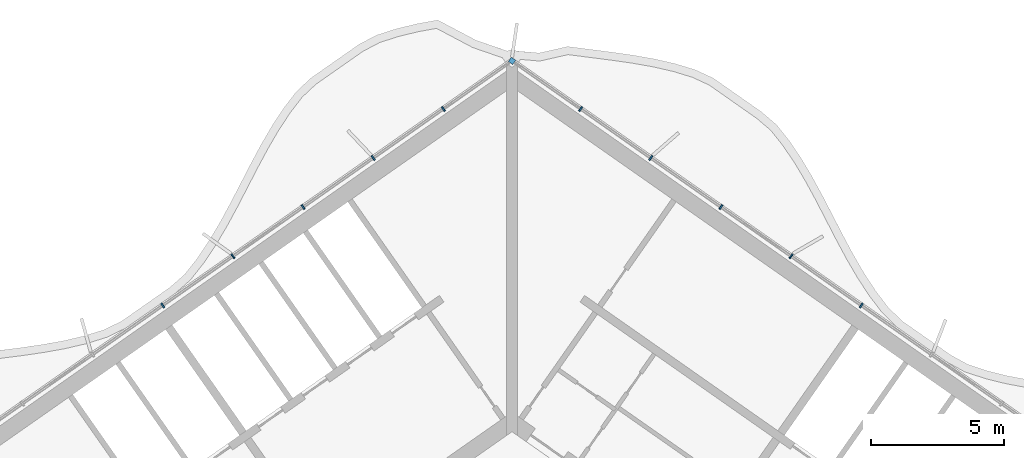
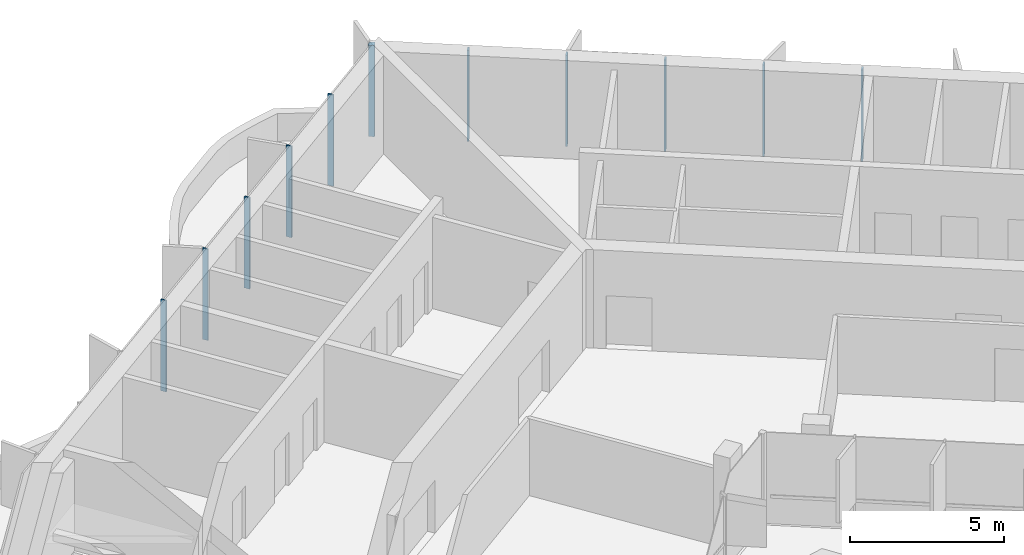
# One storey, part 7 of 19: 11 members, 1 element without a shape of its own.
"""IFC4 building model written with IfcOpenShell, lengths in metres."""

from ifc_helpers import new_model, si_unit, direction, frame, origin, origin_2d, place, context, subcontext, project, spatial, rectangle, extrude, material, material_profile, profile_set, type_object, element, aggregate, save


model = new_model("IFC4")

# Units and contexts
model_context = context("Model", 3, precision=1e-05, world=origin(), true_north=direction((0.0, 1.0)))
body_context = subcontext(model_context, "Body", "Model", "MODEL_VIEW")
ifc_project = project(units=[si_unit("LENGTHUNIT", "METRE"), si_unit("AREAUNIT", "SQUARE_METRE"), si_unit("VOLUMEUNIT", "CUBIC_METRE"), si_unit("PLANEANGLEUNIT", "RADIAN"), si_unit("MASSUNIT", "GRAM", prefix="KILO")], contexts=[model_context])

# Site, building, storey
site_placement = place(None, origin())
site = spatial("IfcSite", under=ifc_project, at=site_placement, CompositionType="ELEMENT")
building_placement = place(site_placement, origin())
building = spatial("IfcBuilding", under=site, at=building_placement, Name="Tel Ilan Convention Tower", CompositionType="ELEMENT")
storey_placement = place(building_placement, frame((0.0, 0.0, 241.0)))
storey = spatial("IfcBuildingStorey", under=building, at=storey_placement, Name="L56", CompositionType="ELEMENT", Elevation=241.0)

# Curtain wall, members
ifc_material_1 = material(Name="Aluminium, bronze anodised", Category="aluminium")
curtain_wall_type = type_object("IfcCurtainWallType", Name="CW2 STICK CURTAIN WALL, SPANDREL PANELS", PredefinedType="NOTDEFINED", material=ifc_material_1)
curtain_wall_placement = place(storey_placement, origin())
curtain_wall = element("IfcCurtainWall", 1, at=curtain_wall_placement, inside=storey, type_object=curtain_wall_type, Name="Curtain wall CW2-43.01", PredefinedType="NOTDEFINED")
ifc_material_2 = material(Name="Aluminium, bronze anodised", Category="aluminium")
ifc_material_profile_1 = material_profile(ifc_material_2, rectangle(XDim=0.199951171875, YDim=0.199951171875, at=origin_2d()), Name="CW CORNER MULLION 200x200")
ifc_profile_set_1 = profile_set([ifc_material_profile_1], Name="Aluminium, bronze anodised")
member_type_1 = type_object("IfcMemberType", Name="CW CORNER MULLION 200x200", PredefinedType="MULLION", material=ifc_profile_set_1)
member_1_placement = place(storey_placement, frame((0.0, 12.696044921875, 0.0), z_axis=(0.0, 0.0, 1.0), x_axis=(-0.819152044289, 0.573576436351, 0.0)))
member_1 = element("IfcMember", 2, at=member_1_placement, type_object=member_type_1, Name="Corner mullion", PredefinedType="MULLION", context=body_context, shape_type="SweptSolid", body=[
    extrude(rectangle(XDim=0.199951171875, YDim=0.199951171875, at=origin_2d()), origin(), (0.0, 0.0, 1.0), 3.6201171875),
])
ifc_material_3 = material(Name="Aluminium, bronze anodised", Category="aluminium")
ifc_material_profile_2 = material_profile(ifc_material_3, rectangle(XDim=0.06005859375, YDim=0.199951171875, at=origin_2d()), Name="CW MULLION 60x200")
ifc_profile_set_2 = profile_set([ifc_material_profile_2], Name="Aluminium, bronze anodised")
member_type_2 = type_object("IfcMemberType", Name="CW MULLION 60x200", PredefinedType="MULLION", material=ifc_profile_set_2)
member_2_placement = place(storey_placement, frame((13.105712890625, 3.519287109375, 0.0), z_axis=(0.0, 0.0, 1.0), x_axis=(-0.819152044289, 0.573576436351, 0.0)))
member_2 = element("IfcMember", 3, at=member_2_placement, type_object=member_type_2, Name="Mullion", PredefinedType="MULLION", context=body_context, shape_type="SweptSolid", body=[
    extrude(rectangle(XDim=0.06005859375, YDim=0.199951171875, at=origin_2d()), origin(), (0.0, 0.0, 1.0), 3.6201171875),
])
member_3_placement = place(storey_placement, frame((10.47314453125, 5.36279296875, 0.0), z_axis=(0.0, 0.0, 1.0), x_axis=(-0.819152044289, 0.573576436351, 0.0)))
member_3 = element("IfcMember", 4, at=member_3_placement, type_object=member_type_2, Name="Mullion", PredefinedType="MULLION", context=body_context, shape_type="SweptSolid", body=[
    extrude(rectangle(XDim=0.06005859375, YDim=0.199951171875, at=origin_2d()), origin(), (0.0, 0.0, 1.0), 3.6201171875),
])
member_4_placement = place(storey_placement, frame((7.840576171875, 7.2060546875, 0.0), z_axis=(0.0, 0.0, 1.0), x_axis=(-0.819152044289, 0.573576436351, 0.0)))
member_4 = element("IfcMember", 5, at=member_4_placement, type_object=member_type_2, Name="Mullion", PredefinedType="MULLION", context=body_context, shape_type="SweptSolid", body=[
    extrude(rectangle(XDim=0.06005859375, YDim=0.199951171875, at=origin_2d()), origin(), (0.0, 0.0, 1.0), 3.6201171875),
])
member_5_placement = place(storey_placement, frame((5.207763671875, 9.049560546875, 0.0), z_axis=(0.0, 0.0, 1.0), x_axis=(-0.819152044289, 0.573576436351, 0.0)))
member_5 = element("IfcMember", 6, at=member_5_placement, type_object=member_type_2, Name="Mullion", PredefinedType="MULLION", context=body_context, shape_type="SweptSolid", body=[
    extrude(rectangle(XDim=0.06005859375, YDim=0.199951171875, at=origin_2d()), origin(), (0.0, 0.0, 1.0), 3.6201171875),
])
member_6_placement = place(storey_placement, frame((2.5751953125, 10.892822265625, 0.0), z_axis=(0.0, 0.0, 1.0), x_axis=(-0.819152044289, 0.573576436351, 0.0)))
member_6 = element("IfcMember", 7, at=member_6_placement, type_object=member_type_2, Name="Mullion", PredefinedType="MULLION", context=body_context, shape_type="SweptSolid", body=[
    extrude(rectangle(XDim=0.06005859375, YDim=0.199951171875, at=origin_2d()), origin(), (0.0, 0.0, 1.0), 3.6201171875),
])
member_7_placement = place(storey_placement, frame((-2.5751953125, 10.892822265625, 0.0), z_axis=(0.0, 0.0, 1.0), x_axis=(-0.819152044289, -0.573576436351, 0.0)))
member_7 = element("IfcMember", 8, at=member_7_placement, type_object=member_type_2, Name="Mullion", PredefinedType="MULLION", context=body_context, shape_type="SweptSolid", body=[
    extrude(rectangle(XDim=0.06005859375, YDim=0.199951171875, at=origin_2d()), origin(), (0.0, 0.0, 1.0), 3.6201171875),
])
member_8_placement = place(storey_placement, frame((-5.207763671875, 9.049560546875, 0.0), z_axis=(0.0, 0.0, 1.0), x_axis=(-0.819152044289, -0.573576436351, 0.0)))
member_8 = element("IfcMember", 9, at=member_8_placement, type_object=member_type_2, Name="Mullion", PredefinedType="MULLION", context=body_context, shape_type="SweptSolid", body=[
    extrude(rectangle(XDim=0.06005859375, YDim=0.199951171875, at=origin_2d()), origin(), (0.0, 0.0, 1.0), 3.6201171875),
])
member_9_placement = place(storey_placement, frame((-7.840576171875, 7.2060546875, 0.0), z_axis=(0.0, 0.0, 1.0), x_axis=(-0.819152044289, -0.573576436351, 0.0)))
member_9 = element("IfcMember", 10, at=member_9_placement, type_object=member_type_2, Name="Mullion", PredefinedType="MULLION", context=body_context, shape_type="SweptSolid", body=[
    extrude(rectangle(XDim=0.06005859375, YDim=0.199951171875, at=origin_2d()), origin(), (0.0, 0.0, 1.0), 3.6201171875),
])
member_10_placement = place(storey_placement, frame((-10.47314453125, 5.36279296875, 0.0), z_axis=(0.0, 0.0, 1.0), x_axis=(-0.819152044289, -0.573576436351, 0.0)))
member_10 = element("IfcMember", 11, at=member_10_placement, type_object=member_type_2, Name="Mullion", PredefinedType="MULLION", context=body_context, shape_type="SweptSolid", body=[
    extrude(rectangle(XDim=0.06005859375, YDim=0.199951171875, at=origin_2d()), origin(), (0.0, 0.0, 1.0), 3.6201171875),
])
member_11_placement = place(storey_placement, frame((-13.105712890625, 3.519287109375, 0.0), z_axis=(0.0, 0.0, 1.0), x_axis=(-0.819152044289, -0.573576436351, 0.0)))
member_11 = element("IfcMember", 12, at=member_11_placement, type_object=member_type_2, Name="Mullion", PredefinedType="MULLION", context=body_context, shape_type="SweptSolid", body=[
    extrude(rectangle(XDim=0.06005859375, YDim=0.199951171875, at=origin_2d()), origin(), (0.0, 0.0, 1.0), 3.6201171875),
])
aggregate(curtain_wall, [member_2, member_3, member_4, member_5, member_6, member_1, member_7, member_8, member_9, member_10, member_11])

save(model, "model.ifc")
